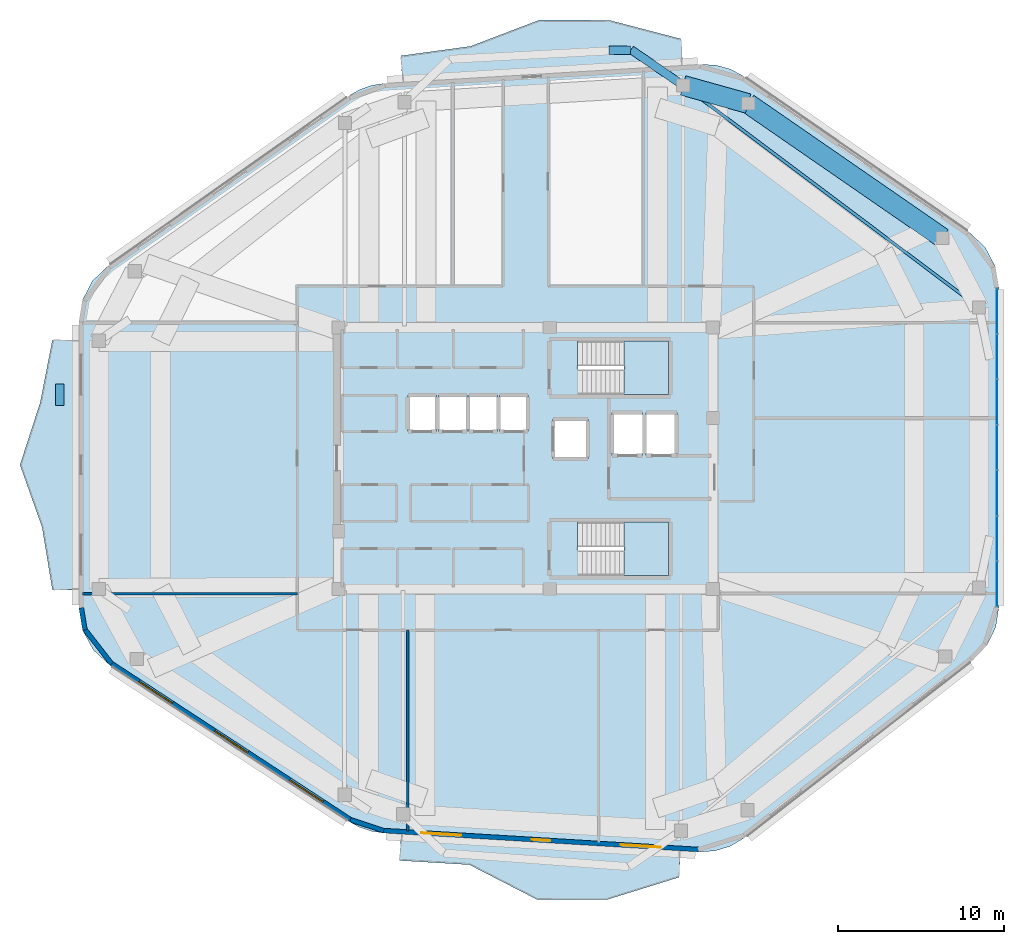
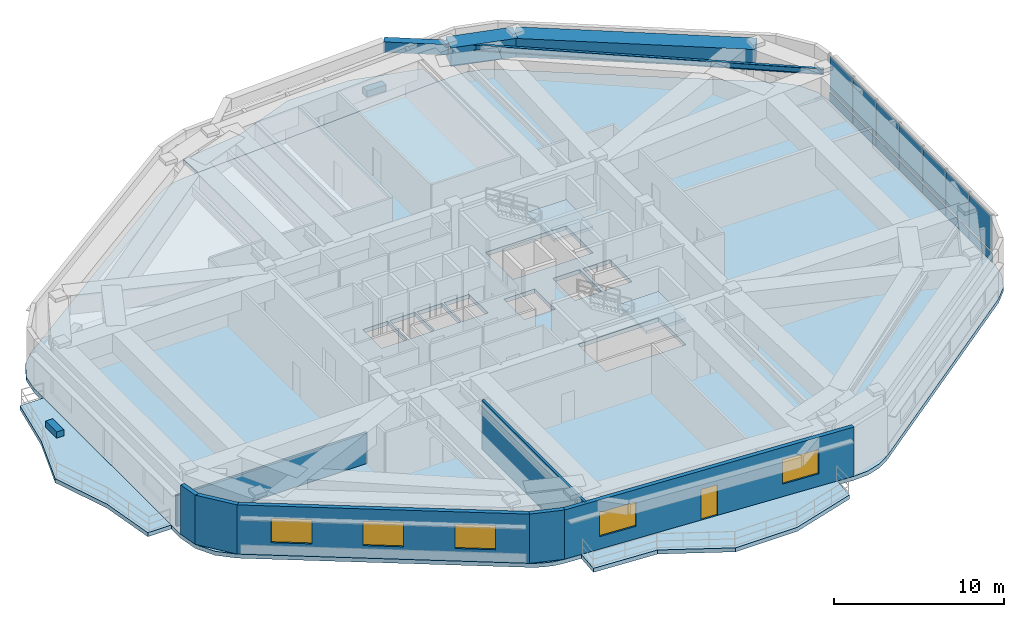
# One storey, part 8 of 15: 16 plates, 7 walls, 6 slabs, 5 windows, 4 beams, 1 door, 6 openings, 3 elements without a shape of their own.
"""IFC4 building model written with IfcOpenShell, lengths in metres."""

from ifc_helpers import new_model, si_unit, direction, frame, frame_2d, origin, origin_2d, place, context, subcontext, project, spatial, polyline, rectangle, i_section, outline, extrude, material, layer, layer_set, material_profile, profile_set, type_object, element, fill, aggregate, save


model = new_model("IFC4")

# Units and contexts
model_context = context("Model", 3, precision=1e-05, world=origin(), true_north=direction((0.0, 1.0)))
body_context = subcontext(model_context, "Body", "Model", "MODEL_VIEW")
ifc_project = project(units=[si_unit("LENGTHUNIT", "METRE"), si_unit("AREAUNIT", "SQUARE_METRE"), si_unit("VOLUMEUNIT", "CUBIC_METRE"), si_unit("PLANEANGLEUNIT", "RADIAN"), si_unit("MASSUNIT", "GRAM", prefix="KILO")], contexts=[model_context])

# Site, building, storey
site_placement = place(None, origin())
site = spatial("IfcSite", under=ifc_project, at=site_placement, CompositionType="ELEMENT")
building_placement = place(site_placement, origin())
building = spatial("IfcBuilding", under=site, at=building_placement, Name="Zulverin Broadcast Headquarters", CompositionType="ELEMENT")
storey_placement = place(building_placement, frame((0.0, 0.0, 270.60009765625)))
storey = spatial("IfcBuildingStorey", under=building, at=storey_placement, Name="L69", CompositionType="ELEMENT", Elevation=270.60009765625)

# Beams
ifc_material_1 = material(Name="Concrete C40/50", Category="concrete")
ifc_material_profile_1 = material_profile(ifc_material_1, rectangle(XDim=0.5, YDim=0.75, at=origin_2d()), Name="Concrete C40/50", Category="concrete")
ifc_profile_set_1 = profile_set([ifc_material_profile_1], Name="Concrete C40/50")
beam_type_1 = type_object("IfcBeamType", Name="BM-RC-500x750", PredefinedType="BEAM", material=ifc_profile_set_1)
beam_1_placement = place(storey_placement, frame((46.4814453125, 47.6484375, 3.164794921875), z_axis=(-0.824300534068, 0.56615247905, 0.0), x_axis=(-0.56615247905, -0.824300534068, 0.0)))
element("IfcBeam", 1, at=beam_1_placement, inside=storey, type_object=beam_type_1, Name="L70 Balcony Column-Framed Cantilever BAL_N-1", PredefinedType="BEAM", context=body_context, shape_type="SweptSolid", body=[
    extrude(rectangle(XDim=0.5, YDim=0.75, at=origin_2d()), origin(), (0.0, 0.0, 1.0), 3.800048828125),
])
ifc_material_2 = material(Name="Concrete C50/60", Category="concrete")
ifc_material_profile_2 = material_profile(ifc_material_2, rectangle(XDim=1.199951171875, YDim=1.35009765625, at=origin_2d()), Name="Concrete C50/60", Category="concrete")
ifc_profile_set_2 = profile_set([ifc_material_profile_2], Name="Concrete C50/60")
beam_type_2 = type_object("IfcBeamType", Name="BM-TG-CRN-1350", PredefinedType="USERDEFINED", material=ifc_profile_set_2)
beam_2_placement = place(storey_placement, frame((62.102783203125, 38.465087890625, 2.864990234375), z_axis=(-0.822652126292, 0.568545054597, 0.0), x_axis=(-0.568545054597, -0.822652126292, 0.0)))
element("IfcBeam", 2, at=beam_2_placement, inside=storey, type_object=beam_type_2, Name="L69 Perimeter Transfer Ring Girder SP-07", ObjectType="TRANSFER GIRDER", PredefinedType="USERDEFINED", context=body_context, shape_type="SweptSolid", body=[
    extrude(rectangle(XDim=1.199951171875, YDim=1.35009765625, at=origin_2d()), origin(), (0.0, 0.0, 1.0), 14.228271484375),
])
beam_3_placement = place(storey_placement, frame((50.39794921875, 46.554443359375, 2.864990234375), z_axis=(-0.963131566005, 0.26903082828, 0.0), x_axis=(-0.26903082828, -0.963131566005, 0.0)))
element("IfcBeam", 3, at=beam_3_placement, inside=storey, type_object=beam_type_2, Name="L69 Perimeter Transfer Ring Girder SP-08", ObjectType="TRANSFER GIRDER", PredefinedType="USERDEFINED", context=body_context, shape_type="SweptSolid", body=[
    extrude(rectangle(XDim=1.199951171875, YDim=1.35009765625, at=origin_2d()), origin(), (0.0, 0.0, 1.0), 4.06640625),
])
ifc_material_3 = material(Name="Structural steel S355JR", Category="steel")
ifc_material_profile_3 = material_profile(ifc_material_3, i_section(OverallWidth=0.179443359375, OverallDepth=0.412841796875, WebThickness=0.009521484375, FlangeThickness=0.01611328125, at=origin_2d()), Name="Structural steel S355JR", Category="steel")
ifc_profile_set_3 = profile_set([ifc_material_profile_3], Name="Structural steel S355JR")
beam_type_3 = type_object("IfcBeamType", Name="BM-UB-406", PredefinedType="JOIST", material=ifc_profile_set_3)
beam_4_placement = place(storey_placement, frame((64.300048828125, 34.275634765625, 3.33349609375), z_axis=(-0.799809280949, 0.600254207905, 0.0), x_axis=(-0.600254207905, -0.799809280949, 0.0)))
element("IfcBeam", 4, at=beam_4_placement, inside=storey, type_object=beam_type_3, Name="L69 Chordal Floor Joist J-02", PredefinedType="JOIST", context=body_context, shape_type="SweptSolid", body=[
    extrude(i_section(OverallWidth=0.179443359375, OverallDepth=0.412841796875, WebThickness=0.009521484375, FlangeThickness=0.01611328125, at=origin_2d()), origin(), (0.0, 0.0, 1.0), 22.278564453125),
])

# Curtain wall, plates
ifc_material_4 = material(Name="High-zone solar-control unitised curtain wall", Category="aluminium")
curtain_wall_type = type_object("IfcCurtainWallType", Name="CW-TWR-UPP", PredefinedType="USERDEFINED", material=ifc_material_4)
curtain_wall_placement = place(storey_placement, origin())
curtain_wall = element("IfcCurtainWall", 5, at=curtain_wall_placement, inside=storey, type_object=curtain_wall_type, Name="L69 Unitised Curtain Wall CW-L69-E3", ObjectType="UNITISED CURTAIN WALL", PredefinedType="USERDEFINED")
ifc_material_5 = material(Name="Low-E double-glazed pale-silver vision glass", Category="glass")
ifc_layer_1 = layer(ifc_material_5, 0.035888671875, Name="Low-E double-glazed pale-silver vision glass", Category="glass")
ifc_layer_set_1 = layer_set([ifc_layer_1], Name="Low-E double-glazed pale-silver vision glass")
plate_type_1 = type_object("IfcPlateType", Name="CW-PNL-GLZ", PredefinedType="CURTAIN_PANEL", material=ifc_layer_set_1)
plate_1_placement = place(storey_placement, frame((65.3798828125, 17.626708984375, 0.91455078125), z_axis=(0.0, 0.0, 1.0), x_axis=(0.0, 1.0, 0.0)))
plate_1 = element("IfcPlate", 6, at=plate_1_placement, type_object=plate_type_1, Name="CW-L69-E3 Vision Panel 00", PredefinedType="CURTAIN_PANEL", context=body_context, shape_type="SweptSolid", body=[
    extrude(rectangle(XDim=2.6982421875, YDim=0.035888671875, at=origin_2d()), origin(), (0.0, 0.0, 1.0), 2.4853515625),
])
plate_2_placement = place(storey_placement, frame((65.3798828125, 20.364990234375, 0.91455078125), z_axis=(0.0, 0.0, 1.0), x_axis=(0.0, 1.0, 0.0)))
plate_2 = element("IfcPlate", 7, at=plate_2_placement, type_object=plate_type_1, Name="CW-L69-E3 Vision Panel 01", PredefinedType="CURTAIN_PANEL", context=body_context, shape_type="SweptSolid", body=[
    extrude(rectangle(XDim=2.6982421875, YDim=0.035888671875, at=origin_2d()), origin(), (0.0, 0.0, 1.0), 2.4853515625),
])
plate_3_placement = place(storey_placement, frame((65.3798828125, 23.103515625, 0.91455078125), z_axis=(0.0, 0.0, 1.0), x_axis=(0.0, 1.0, 0.0)))
plate_3 = element("IfcPlate", 8, at=plate_3_placement, type_object=plate_type_1, Name="CW-L69-E3 Vision Panel 02", PredefinedType="CURTAIN_PANEL", context=body_context, shape_type="SweptSolid", body=[
    extrude(rectangle(XDim=2.6982421875, YDim=0.035888671875, at=origin_2d()), origin(), (0.0, 0.0, 1.0), 2.4853515625),
])
plate_4_placement = place(storey_placement, frame((65.3798828125, 25.841796875, 0.91455078125), z_axis=(0.0, 0.0, 1.0), x_axis=(0.0, 1.0, 0.0)))
plate_4 = element("IfcPlate", 9, at=plate_4_placement, type_object=plate_type_1, Name="CW-L69-E3 Vision Panel 03", PredefinedType="CURTAIN_PANEL", context=body_context, shape_type="SweptSolid", body=[
    extrude(rectangle(XDim=2.6982421875, YDim=0.035888671875, at=origin_2d()), origin(), (0.0, 0.0, 1.0), 2.4853515625),
])
plate_5_placement = place(storey_placement, frame((65.3798828125, 28.580078125, 0.91455078125), z_axis=(0.0, 0.0, 1.0), x_axis=(0.0, 1.0, 0.0)))
plate_5 = element("IfcPlate", 10, at=plate_5_placement, type_object=plate_type_1, Name="CW-L69-E3 Vision Panel 04", PredefinedType="CURTAIN_PANEL", context=body_context, shape_type="SweptSolid", body=[
    extrude(rectangle(XDim=2.6982421875, YDim=0.035888671875, at=origin_2d()), origin(), (0.0, 0.0, 1.0), 2.4853515625),
])
plate_6_placement = place(storey_placement, frame((65.3798828125, 31.318359375, 0.91455078125), z_axis=(0.0, 0.0, 1.0), x_axis=(0.0, 1.0, 0.0)))
plate_6 = element("IfcPlate", 11, at=plate_6_placement, type_object=plate_type_1, Name="CW-L69-E3 Vision Panel 05", PredefinedType="CURTAIN_PANEL", context=body_context, shape_type="SweptSolid", body=[
    extrude(rectangle(XDim=2.6982421875, YDim=0.035888671875, at=origin_2d()), origin(), (0.0, 0.0, 1.0), 2.4853515625),
])
plate_7_placement = place(storey_placement, frame((65.3798828125, 34.056640625, 0.91455078125), z_axis=(0.0, 0.0, 1.0), x_axis=(0.0, 1.0, 0.0)))
plate_7 = element("IfcPlate", 12, at=plate_7_placement, type_object=plate_type_1, Name="CW-L69-E3 Vision Panel 06", PredefinedType="CURTAIN_PANEL", context=body_context, shape_type="SweptSolid", body=[
    extrude(rectangle(XDim=2.6982421875, YDim=0.035888671875, at=origin_2d()), origin(), (0.0, 0.0, 1.0), 2.4853515625),
])
ifc_material_6 = material(Name="Insulated brushed pale-aluminium spandrel cassette", Category="aluminium")
ifc_layer_2 = layer(ifc_material_6, 0.050048828125, Name="Insulated brushed pale-aluminium spandrel cassette", Category="aluminium")
ifc_layer_set_2 = layer_set([ifc_layer_2], Name="Insulated brushed pale-aluminium spandrel cassette")
plate_type_2 = type_object("IfcPlateType", Name="CW-PNL-SPN", PredefinedType="CURTAIN_PANEL", material=ifc_layer_set_2)
plate_8_placement = place(storey_placement, frame((65.3798828125, 17.626708984375, 0.139892578125), z_axis=(0.0, 0.0, 1.0), x_axis=(0.0, 1.0, 0.0)))
plate_8 = element("IfcPlate", 13, at=plate_8_placement, type_object=plate_type_2, Name="CW-L69-E3 Spandrel Cassette 00", PredefinedType="CURTAIN_PANEL", context=body_context, shape_type="SweptSolid", body=[
    extrude(rectangle(XDim=2.6982421875, YDim=0.050048828125, at=origin_2d()), origin(), (0.0, 0.0, 1.0), 0.64453125),
])
plate_9_placement = place(storey_placement, frame((65.3798828125, 20.364990234375, 0.139892578125), z_axis=(0.0, 0.0, 1.0), x_axis=(0.0, 1.0, 0.0)))
plate_9 = element("IfcPlate", 14, at=plate_9_placement, type_object=plate_type_2, Name="CW-L69-E3 Spandrel Cassette 01", PredefinedType="CURTAIN_PANEL", context=body_context, shape_type="SweptSolid", body=[
    extrude(rectangle(XDim=2.6982421875, YDim=0.050048828125, at=origin_2d()), origin(), (0.0, 0.0, 1.0), 0.64453125),
])
plate_10_placement = place(storey_placement, frame((65.3798828125, 23.103515625, 0.139892578125), z_axis=(0.0, 0.0, 1.0), x_axis=(0.0, 1.0, 0.0)))
plate_10 = element("IfcPlate", 15, at=plate_10_placement, type_object=plate_type_2, Name="CW-L69-E3 Spandrel Cassette 02", PredefinedType="CURTAIN_PANEL", context=body_context, shape_type="SweptSolid", body=[
    extrude(rectangle(XDim=2.6982421875, YDim=0.050048828125, at=origin_2d()), origin(), (0.0, 0.0, 1.0), 0.64453125),
])
plate_11_placement = place(storey_placement, frame((65.3798828125, 25.841796875, 0.139892578125), z_axis=(0.0, 0.0, 1.0), x_axis=(0.0, 1.0, 0.0)))
plate_11 = element("IfcPlate", 16, at=plate_11_placement, type_object=plate_type_2, Name="CW-L69-E3 Spandrel Cassette 03", PredefinedType="CURTAIN_PANEL", context=body_context, shape_type="SweptSolid", body=[
    extrude(rectangle(XDim=2.6982421875, YDim=0.050048828125, at=origin_2d()), origin(), (0.0, 0.0, 1.0), 0.64453125),
])
plate_12_placement = place(storey_placement, frame((65.3798828125, 28.580078125, 0.139892578125), z_axis=(0.0, 0.0, 1.0), x_axis=(0.0, 1.0, 0.0)))
plate_12 = element("IfcPlate", 17, at=plate_12_placement, type_object=plate_type_2, Name="CW-L69-E3 Spandrel Cassette 04", PredefinedType="CURTAIN_PANEL", context=body_context, shape_type="SweptSolid", body=[
    extrude(rectangle(XDim=2.6982421875, YDim=0.050048828125, at=origin_2d()), origin(), (0.0, 0.0, 1.0), 0.64453125),
])
plate_13_placement = place(storey_placement, frame((65.3798828125, 31.318359375, 0.139892578125), z_axis=(0.0, 0.0, 1.0), x_axis=(0.0, 1.0, 0.0)))
plate_13 = element("IfcPlate", 18, at=plate_13_placement, type_object=plate_type_2, Name="CW-L69-E3 Spandrel Cassette 05", PredefinedType="CURTAIN_PANEL", context=body_context, shape_type="SweptSolid", body=[
    extrude(rectangle(XDim=2.6982421875, YDim=0.050048828125, at=origin_2d()), origin(), (0.0, 0.0, 1.0), 0.64453125),
])
plate_14_placement = place(storey_placement, frame((65.3798828125, 34.056640625, 0.139892578125), z_axis=(0.0, 0.0, 1.0), x_axis=(0.0, 1.0, 0.0)))
plate_14 = element("IfcPlate", 19, at=plate_14_placement, type_object=plate_type_2, Name="CW-L69-E3 Spandrel Cassette 06", PredefinedType="CURTAIN_PANEL", context=body_context, shape_type="SweptSolid", body=[
    extrude(rectangle(XDim=2.6982421875, YDim=0.050048828125, at=origin_2d()), origin(), (0.0, 0.0, 1.0), 0.64453125),
])
aggregate(curtain_wall, [plate_8, plate_1, plate_9, plate_2, plate_10, plate_3, plate_11, plate_4, plate_12, plate_5, plate_13, plate_6, plate_14, plate_7])

# Plates
ifc_material_7 = material(Name="Precast concrete C45/55", Category="concrete")
ifc_layer_3 = layer(ifc_material_7, 0.449951171875, Name="Precast concrete C45/55", Category="concrete")
ifc_layer_set_3 = layer_set([ifc_layer_3], Name="Precast concrete C45/55")
plate_type_3 = type_object("IfcPlateType", Name="PT-01_PRECAST_GFRC_TREE_PLANTER", PredefinedType="USERDEFINED", material=ifc_layer_set_3)
for number, where, z_axis, x_axis, name in (
    (20, (42.6767578125, 49.7744140625, -0.0048828125), (0.0, 0.0, 1.0), (1.0, 0.0, 0.0), "L69 Precast GFRC Tree Planter BAL_N"),
    (21, (8.949951171875, 29.0126953125, -0.0048828125), (0.0, 0.0, 1.0), (0.0, 1.0, 0.0), "L69 Precast GFRC Tree Planter BAL_W"),
):
    element("IfcPlate", number, at=place(storey_placement, frame(where, z_axis=z_axis, x_axis=x_axis)), inside=storey, type_object=plate_type_3, Name=name, ObjectType="PLANTER", PredefinedType="USERDEFINED", context=body_context, shape_type="SweptSolid", body=[
        extrude(rectangle(XDim=1.300048828125, YDim=0.5, at=origin_2d()), origin(), (0.0, 0.0, 1.0), 0.449951171875),
    ])

# Slabs
ifc_layer_4 = layer(ifc_material_1, 0.2900390625, Name="Concrete C40/50", Category="concrete")
ifc_layer_set_4 = layer_set([ifc_layer_4], Name="Concrete C40/50")
slab_type_1 = type_object("IfcSlabType", Name="SLB-BAL-290", PredefinedType="FLOOR", material=ifc_layer_set_4)
slab_1_placement = place(storey_placement, frame((0.0, 0.0, -0.2900390625)))
element("IfcSlab", 22, at=slab_1_placement, inside=storey, type_object=slab_type_1, Name="L69 Cantilevered Planted Balcony Slab BAL_N", PredefinedType="FLOOR", context=body_context, shape_type="SweptSolid", body=[
    extrude(outline(polyline([(29.5791015625, 47.835693359375), (46.45947265625, 48.849365234375), (46.363525390625, 50.4462890625), (42.060791015625, 51.566650390625), (37.824462890625, 51.58740234375), (33.683837890625, 50.0068359375), (29.483154296875, 49.43310546875), (29.5791015625, 47.835693359375)])), origin(), (0.0, 0.0, 1.0), 0.2900390625),
])
slab_2_placement = place(storey_placement, frame((0.0, 0.0, -0.2900390625)))
element("IfcSlab", 23, at=slab_2_placement, inside=storey, type_object=slab_type_1, Name="L69 Cantilevered Planted Balcony Slab BAL_W", PredefinedType="FLOOR", context=body_context, shape_type="SweptSolid", body=[
    extrude(outline(polyline([(10.10009765625, 17.2685546875), (10.10009765625, 32.3251953125), (8.5, 32.3251953125), (7.767578125, 28.56103515625), (6.550048828125, 24.797119140625), (7.882080078125, 21.03271484375), (8.5, 17.2685546875), (10.10009765625, 17.2685546875)])), origin(), (0.0, 0.0, 1.0), 0.2900390625),
])
slab_3_placement = place(storey_placement, frame((0.0, 0.0, -0.2900390625)))
element("IfcSlab", 24, at=slab_3_placement, inside=storey, type_object=slab_type_1, Name="L69 Cantilevered Planted Balcony Slab BAL_S", PredefinedType="FLOOR", context=body_context, shape_type="SweptSolid", body=[
    extrude(outline(polyline([(46.32958984375, 1.55859375), (29.500244140625, 2.56884765625), (29.404296875, 0.9716796875), (33.61181640625, 0.71923828125), (37.707763671875, -1.388671875), (41.93115234375, -1.373291015625), (46.233642578125, -0.03857421875), (46.32958984375, 1.55859375)])), origin(), (0.0, 0.0, 1.0), 0.2900390625),
])

# Stair, slab
stair_type = type_object("IfcStairType", Name="ST-CORE-1500", PredefinedType="HALF_TURN_STAIR", material=ifc_material_1)
stair_1_placement = place(storey_placement, origin())
stair_1 = element("IfcStair", 25, at=stair_1_placement, inside=storey, type_object=stair_type, Name="L69 Core Exit Stair ST-1", PredefinedType="HALF_TURN_STAIR")
ifc_layer_5 = layer(ifc_material_1, 0.199951171875, Name="Concrete C40/50", Category="concrete")
ifc_layer_set_5 = layer_set([ifc_layer_5], Name="Concrete C40/50")
slab_type_2 = type_object("IfcSlabType", Name="SLB-ST-LND200", PredefinedType="LANDING", material=ifc_layer_set_5)
slab_4_placement = place(storey_placement, frame((0.0, 0.0, 1.699951171875)))
slab_4 = element("IfcSlab", 26, at=slab_4_placement, type_object=slab_type_2, Name="ST-1 landing 1", PredefinedType="LANDING", context=body_context, shape_type="SweptSolid", body=[
    extrude(outline(polyline([(42.929931640625, 29.050048828125), (45.60009765625, 29.050048828125), (45.60009765625, 32.25), (42.929931640625, 32.25), (42.929931640625, 29.050048828125)])), origin(), (0.0, 0.0, 1.0), 0.199951171875),
])
aggregate(stair_1, [slab_4])

stair_2_placement = place(storey_placement, origin())
stair_2 = element("IfcStair", 27, at=stair_2_placement, inside=storey, type_object=stair_type, Name="L69 Core Exit Stair ST-2", PredefinedType="HALF_TURN_STAIR")
slab_5_placement = place(storey_placement, frame((0.0, 0.0, 1.699951171875)))
slab_5 = element("IfcSlab", 28, at=slab_5_placement, type_object=slab_type_2, Name="ST-2 landing 1", PredefinedType="LANDING", context=body_context, shape_type="SweptSolid", body=[
    extrude(outline(polyline([(42.929931640625, 18.14990234375), (45.60009765625, 18.14990234375), (45.60009765625, 21.35009765625), (42.929931640625, 21.35009765625), (42.929931640625, 18.14990234375)])), origin(), (0.0, 0.0, 1.0), 0.199951171875),
])
aggregate(stair_2, [slab_5])

# Slab
ifc_layer_6 = layer(ifc_material_1, 0.2900390625, Name="Concrete C40/50", Category="concrete")
ifc_layer_set_6 = layer_set([ifc_layer_6], Name="Concrete C40/50")
slab_type_3 = type_object("IfcSlabType", Name="SLB-TWR-290", PredefinedType="FLOOR", material=ifc_layer_set_6)
slab_6_placement = place(storey_placement, frame((0.0, 0.0, -0.2900390625)))
element("IfcSlab", 29, at=slab_6_placement, inside=storey, type_object=slab_type_3, Name="L69 Main Structural Floor Slab", PredefinedType="FLOOR", context=body_context, shape_type="SweptSolid", body=[
    extrude(outline(polyline([(26.405029296875, 3.295166015625), (27.029296875, 2.96044921875), (27.70166015625, 2.738037109375), (28.402099609375, 2.634765625), (47.427490234375, 1.49267578125), (48.40869140625, 1.5517578125), (49.347412109375, 1.842529296875), (50.18994140625, 2.348388671875), (63.91650390625, 13.02099609375), (64.7685546875, 13.92041015625), (65.312744140625, 15.033203125), (65.5, 16.2578125), (65.5, 35.42578125), (65.289306640625, 36.723388671875), (64.6787109375, 37.887451171875), (63.73095703125, 38.798583984375), (50.13427734375, 48.1953125), (49.3359375, 48.625244140625), (48.462890625, 48.869140625), (47.557373046875, 48.915283203125), (28.48095703125, 47.77001953125), (27.73291015625, 47.655029296875), (27.0185546875, 47.404541015625), (26.362548828125, 47.027099609375), (11.8359375, 36.775146484375), (10.9052734375, 35.865478515625), (10.306396484375, 34.710205078125), (10.10009765625, 33.42529296875), (10.10009765625, 16.168701171875), (10.322021484375, 14.83740234375), (10.96435546875, 13.650390625), (11.957275390625, 12.736328125), (26.405029296875, 3.295166015625)]), holes=[polyline([(40.155029296875, 30.75), (40.130126953125, 30.75), (40.130126953125, 32.25), (45.60009765625, 32.25), (45.60009765625, 29.050048828125), (40.155029296875, 29.050048828125), (40.155029296875, 30.75)]), polyline([(40.155029296875, 19.85009765625), (40.130126953125, 19.85009765625), (40.130126953125, 21.35009765625), (45.60009765625, 21.35009765625), (45.60009765625, 18.14990234375), (40.155029296875, 18.14990234375), (40.155029296875, 19.85009765625)]), polyline([(29.89990234375, 26.800048828125), (31.6201171875, 26.800048828125), (31.6201171875, 29.0), (29.89990234375, 29.0), (29.89990234375, 26.800048828125)]), polyline([(31.739990234375, 26.800048828125), (33.4599609375, 26.800048828125), (33.4599609375, 29.0), (31.739990234375, 29.0), (31.739990234375, 26.800048828125)]), polyline([(33.580078125, 26.800048828125), (35.300048828125, 26.800048828125), (35.300048828125, 29.0), (33.580078125, 29.0), (33.580078125, 26.800048828125)]), polyline([(35.419921875, 26.800048828125), (37.139892578125, 26.800048828125), (37.139892578125, 29.0), (35.419921875, 29.0), (35.419921875, 26.800048828125)]), polyline([(42.199951171875, 25.35009765625), (44.050048828125, 25.35009765625), (44.050048828125, 27.949951171875), (42.199951171875, 27.949951171875), (42.199951171875, 25.35009765625)]), polyline([(44.25, 25.35009765625), (46.10009765625, 25.35009765625), (46.10009765625, 27.949951171875), (44.25, 27.949951171875), (44.25, 25.35009765625)]), polyline([(38.64990234375, 25.14990234375), (40.75, 25.14990234375), (40.75, 27.550048828125), (38.64990234375, 27.550048828125), (38.64990234375, 25.14990234375)])]), origin(), (0.0, 0.0, 1.0), 0.2900390625),
])

# Wall, openings, door, windows
ifc_material_8 = material(Name="Insulated pale-metal clad concrete spandrel C40/50", Category="concrete")
ifc_layer_7 = layer(ifc_material_8, 0.280029296875, Name="Insulated pale-metal clad concrete spandrel C40/50", Category="concrete")
ifc_layer_set_7 = layer_set([ifc_layer_7], Name="Insulated pale-metal clad concrete spandrel C40/50")
wall_type_1 = type_object("IfcWallType", Name="WL-EXT-280", PredefinedType="STANDARD", material=ifc_layer_set_7)
wall_1_placement = place(storey_placement, frame((28.41064453125, 2.7744140625, 0.0), z_axis=(0.0, 0.0, 1.0), x_axis=(0.998203068368, -0.059921901676, 0.0)))
wall_1 = element("IfcWall", 30, at=wall_1_placement, inside=storey, type_object=wall_type_1, Name="L69 Pale-Metal Clad Spandrel Wall 1", PredefinedType="STANDARD", context=body_context, shape_type="SweptSolid", body=[
    extrude(rectangle(XDim=19.0595703125, YDim=0.280029296875, at=frame_2d((9.52978515625, 0.0))), origin(), (0.0, 0.0, 1.0), 3.539794921875),
])
opening_1_placement = place(wall_1_placement, frame((8.979736328125, 0.0, 0.0)))
opening_1 = element("IfcOpeningElement", 31, at=opening_1_placement, cuts=wall_1, Name="Opening D-L69-TR1", PredefinedType="OPENING", context=body_context, shape_type="SweptSolid", body=[
    extrude(rectangle(XDim=1.10009765625, YDim=2.199951171875, at=frame_2d((0.550048828125, 1.10009765625))), frame((0.0, 0.14990234375, 0.0), z_axis=(0.0, -1.0, 0.0), x_axis=(1.0, 0.0, 0.0)), (0.0, 0.0, 1.0), 0.300048828125),
])
opening_2_placement = place(wall_1_placement, frame((2.309814453125, 0.0, 0.89990234375)))
opening_2 = element("IfcOpeningElement", 32, at=opening_2_placement, cuts=wall_1, Name="Opening W-L69-E11", PredefinedType="OPENING", context=body_context, shape_type="SweptSolid", body=[
    extrude(rectangle(XDim=2.39990234375, YDim=1.75, at=frame_2d((1.199951171875, 0.875))), frame((0.0, 0.14990234375, 0.0), z_axis=(0.0, -1.0, 0.0), x_axis=(1.0, 0.0, 0.0)), (0.0, 0.0, 1.0), 0.300048828125),
])
opening_3_placement = place(wall_1_placement, frame((14.349609375, 0.0, 0.89990234375)))
opening_3 = element("IfcOpeningElement", 33, at=opening_3_placement, cuts=wall_1, Name="Opening W-L69-E12", PredefinedType="OPENING", context=body_context, shape_type="SweptSolid", body=[
    extrude(rectangle(XDim=2.39990234375, YDim=1.75, at=frame_2d((1.199951171875, 0.875))), frame((0.0, 0.14990234375, 0.0), z_axis=(0.0, -1.0, 0.0), x_axis=(1.0, 0.0, 0.0)), (0.0, 0.0, 1.0), 0.300048828125),
])
ifc_material_9 = material(Name="Thermally broken aluminium glazed", Category="aluminium")
door_type = type_object("IfcDoorType", Name="DR-TERR-1100", OperationType="SINGLE_SWING_RIGHT", PredefinedType="DOOR", material=ifc_material_9)
door_placement = place(opening_1_placement, origin())
door = element("IfcDoor", 34, at=door_placement, inside=storey, type_object=door_type, Name="L69 Planted Terrace Glazed Access Door 1", OperationType="SINGLE_SWING_RIGHT", OverallHeight=2.199951171875, OverallWidth=1.10009765625, PredefinedType="DOOR", context=body_context, shape_type="SweptSolid", body=[
    extrude(rectangle(XDim=1.10009765625, YDim=2.199951171875, at=frame_2d((0.550048828125, 1.10009765625))), frame((0.0, 0.02490234375, 0.0), z_axis=(0.0, -1.0, 0.0), x_axis=(1.0, 0.0, 0.0)), (0.0, 0.0, 1.0), 0.050048828125),
])
fill(opening_1, door)
ifc_material_10 = material(Name="Pale anodized aluminium frame with solar-control low-E double glazing", Category="aluminium")
window_type = type_object("IfcWindowType", Name="WIN-RIB-2400", PartitioningType="SINGLE_PANEL", PredefinedType="WINDOW", material=ifc_material_10)
window_1_placement = place(opening_2_placement, origin())
window_1 = element("IfcWindow", 35, at=window_1_placement, inside=storey, type_object=window_type, Name="L69 Ribbon Glazing Window 1 1", OverallHeight=1.75, OverallWidth=2.39990234375, PartitioningType="SINGLE_PANEL", PredefinedType="WINDOW", context=body_context, shape_type="SweptSolid", body=[
    extrude(rectangle(XDim=2.39990234375, YDim=1.75, at=frame_2d((1.199951171875, 0.875))), frame((0.0, 0.030029296875, 0.0), z_axis=(0.0, -1.0, 0.0), x_axis=(1.0, 0.0, 0.0)), (0.0, 0.0, 1.0), 0.06005859375),
])
fill(opening_2, window_1)
window_2_placement = place(opening_3_placement, origin())
window_2 = element("IfcWindow", 36, at=window_2_placement, inside=storey, type_object=window_type, Name="L69 Ribbon Glazing Window 1 2", OverallHeight=1.75, OverallWidth=2.39990234375, PartitioningType="SINGLE_PANEL", PredefinedType="WINDOW", context=body_context, shape_type="SweptSolid", body=[
    extrude(rectangle(XDim=2.39990234375, YDim=1.75, at=frame_2d((1.199951171875, 0.875))), frame((0.0, 0.030029296875, 0.0), z_axis=(0.0, -1.0, 0.0), x_axis=(1.0, 0.0, 0.0)), (0.0, 0.0, 1.0), 0.06005859375),
])
fill(opening_3, window_2)

# Wall, openings, windows
wall_2_placement = place(storey_placement, frame((12.03369140625, 12.853515625, 0.0), z_axis=(0.0, 0.0, 1.0), x_axis=(0.837118352984, -0.547021812269, 0.0)))
wall_2 = element("IfcWall", 37, at=wall_2_placement, inside=storey, type_object=wall_type_1, Name="L69 Pale-Metal Clad Spandrel Wall 8", PredefinedType="STANDARD", context=body_context, shape_type="SweptSolid", body=[
    extrude(rectangle(XDim=17.25927734375, YDim=0.280029296875, at=frame_2d((8.629638671875, 0.0))), origin(), (0.0, 0.0, 1.0), 3.539794921875),
])
opening_4_placement = place(wall_2_placement, frame((2.010009765625, 0.0, 0.89990234375)))
opening_4 = element("IfcOpeningElement", 38, at=opening_4_placement, cuts=wall_2, Name="Opening W-L69-E81", PredefinedType="OPENING", context=body_context, shape_type="SweptSolid", body=[
    extrude(rectangle(XDim=2.39990234375, YDim=1.75, at=frame_2d((1.199951171875, 0.875))), frame((0.0, 0.14990234375, 0.0), z_axis=(0.0, -1.0, 0.0), x_axis=(1.0, 0.0, 0.0)), (0.0, 0.0, 1.0), 0.300048828125),
])
opening_5_placement = place(wall_2_placement, frame((7.4296875, 0.0, 0.89990234375)))
opening_5 = element("IfcOpeningElement", 39, at=opening_5_placement, cuts=wall_2, Name="Opening W-L69-E82", PredefinedType="OPENING", context=body_context, shape_type="SweptSolid", body=[
    extrude(rectangle(XDim=2.39990234375, YDim=1.75, at=frame_2d((1.199951171875, 0.875))), frame((0.0, 0.14990234375, 0.0), z_axis=(0.0, -1.0, 0.0), x_axis=(1.0, 0.0, 0.0)), (0.0, 0.0, 1.0), 0.300048828125),
])
opening_6_placement = place(wall_2_placement, frame((12.849365234375, 0.0, 0.89990234375)))
opening_6 = element("IfcOpeningElement", 40, at=opening_6_placement, cuts=wall_2, Name="Opening W-L69-E83", PredefinedType="OPENING", context=body_context, shape_type="SweptSolid", body=[
    extrude(rectangle(XDim=2.39990234375, YDim=1.75, at=frame_2d((1.199951171875, 0.875))), frame((0.0, 0.14990234375, 0.0), z_axis=(0.0, -1.0, 0.0), x_axis=(1.0, 0.0, 0.0)), (0.0, 0.0, 1.0), 0.300048828125),
])
window_3_placement = place(opening_4_placement, origin())
window_3 = element("IfcWindow", 41, at=window_3_placement, inside=storey, type_object=window_type, Name="L69 Ribbon Glazing Window 8 1", OverallHeight=1.75, OverallWidth=2.39990234375, PartitioningType="SINGLE_PANEL", PredefinedType="WINDOW", context=body_context, shape_type="SweptSolid", body=[
    extrude(rectangle(XDim=2.39990234375, YDim=1.75, at=frame_2d((1.199951171875, 0.875))), frame((0.0, 0.030029296875, 0.0), z_axis=(0.0, -1.0, 0.0), x_axis=(1.0, 0.0, 0.0)), (0.0, 0.0, 1.0), 0.06005859375),
])
fill(opening_4, window_3)
window_4_placement = place(opening_5_placement, origin())
window_4 = element("IfcWindow", 42, at=window_4_placement, inside=storey, type_object=window_type, Name="L69 Ribbon Glazing Window 8 2", OverallHeight=1.75, OverallWidth=2.39990234375, PartitioningType="SINGLE_PANEL", PredefinedType="WINDOW", context=body_context, shape_type="SweptSolid", body=[
    extrude(rectangle(XDim=2.39990234375, YDim=1.75, at=frame_2d((1.199951171875, 0.875))), frame((0.0, 0.030029296875, 0.0), z_axis=(0.0, -1.0, 0.0), x_axis=(1.0, 0.0, 0.0)), (0.0, 0.0, 1.0), 0.06005859375),
])
fill(opening_5, window_4)
window_5_placement = place(opening_6_placement, origin())
window_5 = element("IfcWindow", 43, at=window_5_placement, inside=storey, type_object=window_type, Name="L69 Ribbon Glazing Window 8 3", OverallHeight=1.75, OverallWidth=2.39990234375, PartitioningType="SINGLE_PANEL", PredefinedType="WINDOW", context=body_context, shape_type="SweptSolid", body=[
    extrude(rectangle(XDim=2.39990234375, YDim=1.75, at=frame_2d((1.199951171875, 0.875))), frame((0.0, 0.030029296875, 0.0), z_axis=(0.0, -1.0, 0.0), x_axis=(1.0, 0.0, 0.0)), (0.0, 0.0, 1.0), 0.06005859375),
])
fill(opening_6, window_5)

# Walls
wall_3_placement = place(storey_placement, frame((10.238037109375, 16.191650390625, 0.0), z_axis=(0.0, 0.0, 1.0), x_axis=(0.164604311367, -0.986359681191, 0.0)))
element("IfcWall", 44, at=wall_3_placement, inside=storey, type_object=wall_type_1, Name="L69 Wind-Shaped Corner Spandrel Wall 7-1", PredefinedType="STANDARD", context=body_context, shape_type="SweptSolid", body=[
    extrude(rectangle(XDim=1.349609375, YDim=0.280029296875, at=frame_2d((0.6748046875, 0.0))), origin(), (0.0, 0.0, 1.0), 3.539794921875),
])
wall_4_placement = place(storey_placement, frame((10.4326171875, 14.92333984375, 0.0), z_axis=(0.0, 0.0, 1.0), x_axis=(0.614181852676, -0.78916452774, 0.0)))
element("IfcWall", 45, at=wall_4_placement, inside=storey, type_object=wall_type_1, Name="L69 Wind-Shaped Corner Spandrel Wall 7-2", PredefinedType="STANDARD", context=body_context, shape_type="SweptSolid", body=[
    extrude(rectangle(XDim=2.662109375, YDim=0.280029296875, at=frame_2d((1.3310546875, 0.0))), origin(), (0.0, 0.0, 1.0), 3.539794921875),
])
wall_5_placement = place(storey_placement, frame((26.44921875, 3.427978515625, 0.0), z_axis=(0.0, 0.0, 1.0), x_axis=(0.949435039229, -0.313963542923, 0.0)))
element("IfcWall", 46, at=wall_5_placement, inside=storey, type_object=wall_type_1, Name="L69 Wind-Shaped Corner Spandrel Wall 8-1", PredefinedType="STANDARD", context=body_context, shape_type="SweptSolid", body=[
    extrude(rectangle(XDim=2.103515625, YDim=0.280029296875, at=frame_2d((1.0517578125, 0.0))), origin(), (0.0, 0.0, 1.0), 3.539794921875),
])
ifc_material_11 = material(Name="Fire-rated gypsum stud partition", Category="gypsum")
ifc_layer_8 = layer(ifc_material_11, 0.14990234375, Name="Fire-rated gypsum stud partition", Category="gypsum")
ifc_layer_set_8 = layer_set([ifc_layer_8], Name="Fire-rated gypsum stud partition")
wall_type_2 = type_object("IfcWallType", Name="WL-PART-150", PredefinedType="PARTITIONING", material=ifc_layer_set_8)
wall_6_placement = place(storey_placement, frame((29.89990234375, 2.75, 0.0), z_axis=(0.0, 0.0, 1.0), x_axis=(0.0, 1.0, 0.0)))
element("IfcWall", 47, at=wall_6_placement, inside=storey, type_object=wall_type_2, Name="L69 Room Partition Wall RP-08", PredefinedType="PARTITIONING", context=body_context, shape_type="SweptSolid", body=[
    extrude(rectangle(XDim=12.10009765625, YDim=0.14990234375, at=frame_2d((6.050048828125, 0.0))), origin(), (0.0, 0.0, 1.0), 3.539794921875),
])
wall_7_placement = place(storey_placement, frame((10.304931640625, 17.050048828125, 0.0), z_axis=(0.0, 0.0, 1.0), x_axis=(1.0, 0.0, 0.0)))
element("IfcWall", 48, at=wall_7_placement, inside=storey, type_object=wall_type_2, Name="L69 Room Partition Wall RP-11", PredefinedType="PARTITIONING", context=body_context, shape_type="SweptSolid", body=[
    extrude(rectangle(XDim=12.945068359375, YDim=0.14990234375, at=frame_2d((6.47265625, 0.0))), origin(), (0.0, 0.0, 1.0), 2.18994140625),
])

save(model, "model.ifc")
